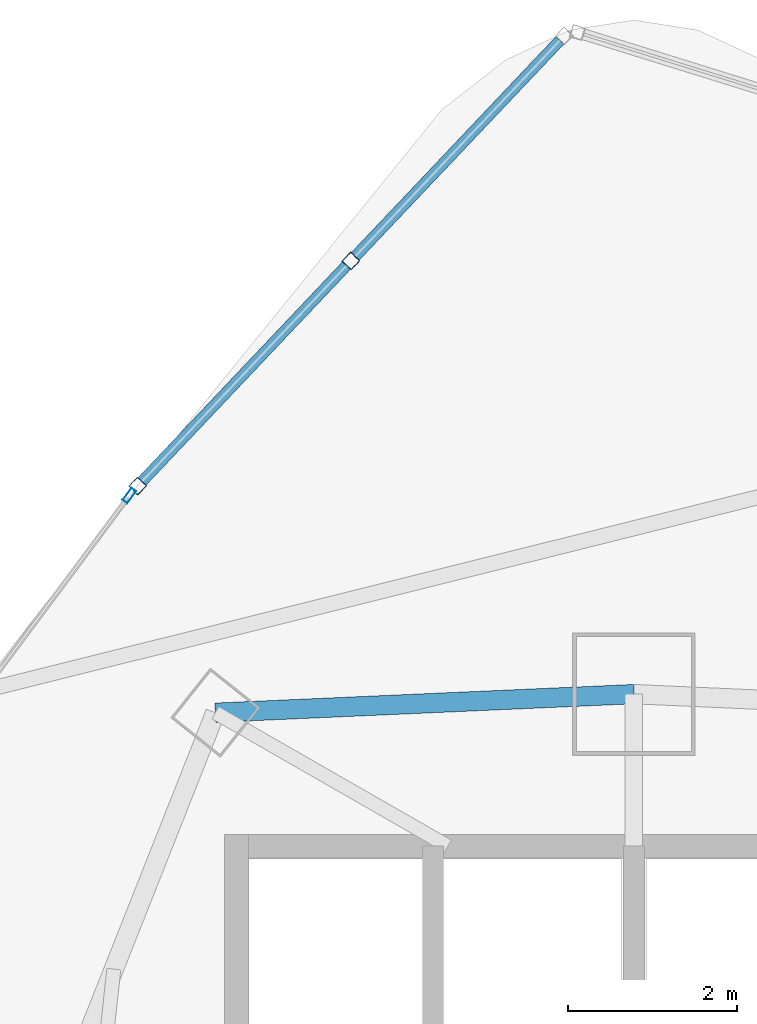
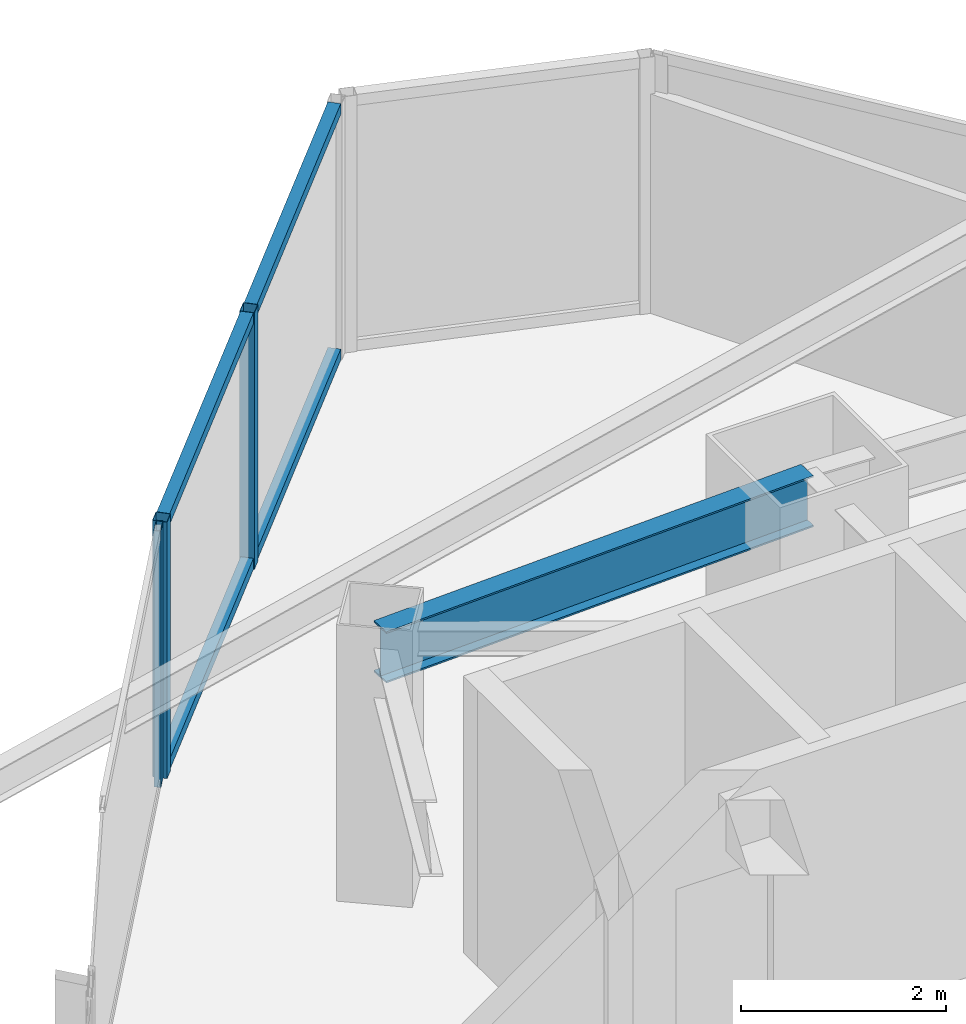
# One storey, part 22 of 33: 7 members, 1 beam, 2 elements without a shape of their own.
"""IFC4 building model written with IfcOpenShell, lengths in metres."""

from ifc_helpers import new_model, si_unit, direction, frame, origin, origin_2d, place, context, subcontext, project, spatial, hollow_rectangle, i_section, extrude, material, layer, layer_set, material_profile, profile_set, type_object, element, aggregate, save


model = new_model("IFC4")

# Units and contexts
model_context = context("Model", 3, precision=1e-05, world=origin(), true_north=direction((0.0, 1.0)))
body_context = subcontext(model_context, "Body", "Model", "MODEL_VIEW")
ifc_project = project(units=[si_unit("LENGTHUNIT", "METRE"), si_unit("AREAUNIT", "SQUARE_METRE"), si_unit("VOLUMEUNIT", "CUBIC_METRE"), si_unit("PLANEANGLEUNIT", "RADIAN"), si_unit("MASSUNIT", "GRAM", prefix="KILO")], contexts=[model_context])

# Site, building, storey
site_placement = place(None, origin())
site = spatial("IfcSite", under=ifc_project, at=site_placement, CompositionType="ELEMENT")
building_placement = place(site_placement, origin())
building = spatial("IfcBuilding", under=site, at=building_placement, Name="Orvanel Arch Residences", CompositionType="ELEMENT")
storey_placement = place(building_placement, frame((0.0, 0.0, 119.89990234375)))
storey = spatial("IfcBuildingStorey", under=building, at=storey_placement, Name="L33", CompositionType="ELEMENT", Elevation=119.89990234375)

# Curtain wall, members
ifc_material_1 = material(Name="Bronze-anodised aluminium AA6063-T6", Category="aluminium")
ifc_layer_1 = layer(ifc_material_1, 0.18994140625)
ifc_layer_set_1 = layer_set([ifc_layer_1], Name="Bronze-anodised aluminium AA6063-T6")
curtain_wall_type_1 = type_object("IfcCurtainWallType", Name="CW5-CRN-SYS", PredefinedType="NOTDEFINED", material=ifc_layer_set_1)
curtain_wall_1_placement = place(storey_placement, origin())
curtain_wall_1 = element("IfcCurtainWall", 1, at=curtain_wall_1_placement, inside=storey, type_object=curtain_wall_type_1, Name="L33 CW5-CRN-SYS Unitised Curtain Wall", PredefinedType="NOTDEFINED")
ifc_material_profile_1 = material_profile(ifc_material_1, hollow_rectangle(XDim=0.14990234375, YDim=0.14990234375, WallThickness=0.0048828125, at=origin_2d()), Name="ALU150x150x5")
ifc_profile_set_1 = profile_set([ifc_material_profile_1], Name="Bronze-anodised aluminium AA6063-T6")
member_type_1 = type_object("IfcMemberType", Name="MUL-150x150", PredefinedType="MULLION", material=ifc_profile_set_1)
member_1_placement = place(storey_placement, frame((29.653564453125, 46.52197265625, 0.0), z_axis=(0.0, 0.0, 1.0), x_axis=(0.725885986866, -0.687815043505, 0.0)))
member_1 = element("IfcMember", 2, at=member_1_placement, type_object=member_type_1, Name="CW-S5 mullion 2", PredefinedType="MULLION", context=body_context, shape_type="SweptSolid", body=[
    extrude(hollow_rectangle(XDim=0.14990234375, YDim=0.14990234375, WallThickness=0.0048828125, at=origin_2d()), origin(), (0.0, 0.0, 1.0), 3.06005859375),
])
member_2_placement = place(storey_placement, frame((27.130615234375, 43.859375, 0.0), z_axis=(0.0, 0.0, 1.0), x_axis=(0.725885986866, -0.687815043505, 0.0)))
member_2 = element("IfcMember", 3, at=member_2_placement, type_object=member_type_1, Name="CW-S5 mullion 3", PredefinedType="MULLION", context=body_context, shape_type="SweptSolid", body=[
    extrude(hollow_rectangle(XDim=0.14990234375, YDim=0.14990234375, WallThickness=0.0048828125, at=origin_2d()), origin(), (0.0, 0.0, 1.0), 3.06005859375),
])

# Curtain wall, member
ifc_layer_2 = layer(ifc_material_1, 0.179931640625)
ifc_layer_set_2 = layer_set([ifc_layer_2], Name="Bronze-anodised aluminium AA6063-T6")
curtain_wall_type_2 = type_object("IfcCurtainWallType", Name="CW3-MID-SYS", PredefinedType="NOTDEFINED", material=ifc_layer_set_2)
curtain_wall_2_placement = place(storey_placement, origin())
curtain_wall_2 = element("IfcCurtainWall", 4, at=curtain_wall_2_placement, inside=storey, type_object=curtain_wall_type_2, Name="L33 CW3-MID-SYS Unitised Curtain Wall", PredefinedType="NOTDEFINED")
ifc_material_profile_2 = material_profile(ifc_material_1, hollow_rectangle(XDim=0.070068359375, YDim=0.179931640625, WallThickness=0.00439453125, at=origin_2d()), Name="ALU180x70x4.5")
ifc_profile_set_2 = profile_set([ifc_material_profile_2], Name="Bronze-anodised aluminium AA6063-T6")
member_type_2 = type_object("IfcMemberType", Name="MUL-180x70", PredefinedType="MULLION", material=ifc_profile_set_2)
member_3_placement = place(storey_placement, frame((27.031982421875, 43.745849609375, 0.0), z_axis=(0.0, 0.0, 1.0), x_axis=(0.802116413742, -0.59716769739, 0.0)))
member_3 = element("IfcMember", 5, at=member_3_placement, type_object=member_type_2, Name="CW-S3 mullion 1", PredefinedType="MULLION", context=body_context, shape_type="SweptSolid", body=[
    extrude(hollow_rectangle(XDim=0.070068359375, YDim=0.179931640625, WallThickness=0.00439453125, at=origin_2d()), origin(), (0.0, 0.0, 1.0), 3.06005859375),
])
aggregate(curtain_wall_2, [member_3])

# Beam
ifc_material_2 = material(Name="Structural steel AS/NZS 3679.1 Grade 300 (300 MPa)", Category="steel")
ifc_material_profile_3 = material_profile(ifc_material_2, i_section(OverallWidth=0.22900390625, OverallDepth=0.612060546875, WebThickness=0.011962890625, FlangeThickness=0.01953125, at=origin_2d()), Name="610UB125")
ifc_profile_set_3 = profile_set([ifc_material_profile_3], Name="Structural steel AS/NZS 3679.1 Grade 300 (300 MPa)")
beam_type = type_object("IfcBeamType", Name="SP-610UB", PredefinedType="SPANDREL", material=ifc_profile_set_3)
beam_placement = place(storey_placement, frame((33.0, 41.39794921875, 2.754150390625), z_axis=(-0.999014049296, -0.044395149614, 0.0), x_axis=(0.044395149614, -0.999014049296, 0.0)))
element("IfcBeam", 6, at=beam_placement, inside=storey, type_object=beam_type, Name="L33 Perimeter Spandrel Beam 15", PredefinedType="SPANDREL", context=body_context, shape_type="SweptSolid", body=[
    extrude(i_section(OverallWidth=0.22900390625, OverallDepth=0.612060546875, WebThickness=0.011962890625, FlangeThickness=0.01953125, at=origin_2d()), origin(), (0.0, 0.0, 1.0), 4.954833984375),
])

# Member
ifc_material_profile_4 = material_profile(ifc_material_1, hollow_rectangle(XDim=0.1298828125, YDim=0.1298828125, WallThickness=0.00439453125, at=origin_2d()), Name="ALU130x130x4.5")
ifc_profile_set_4 = profile_set([ifc_material_profile_4], Name="Bronze-anodised aluminium AA6063-T6")
member_type_3 = type_object("IfcMemberType", Name="TRN-130x130", PredefinedType="USERDEFINED", material=ifc_profile_set_4)
member_4_placement = place(storey_placement, frame((32.124755859375, 49.130126953125, 0.065185546875), z_axis=(-0.687800467958, -0.725899797683, 0.0), x_axis=(0.725899797683, -0.687800467958, 0.0)))
member_4 = element("IfcMember", 7, at=member_4_placement, type_object=member_type_3, Name="CW-S5 transom 1.1", ObjectType="TRANSOM", PredefinedType="USERDEFINED", context=body_context, shape_type="SweptSolid", body=[
    extrude(hollow_rectangle(XDim=0.1298828125, YDim=0.1298828125, WallThickness=0.00439453125, at=origin_2d()), origin(), (0.0, 0.0, 1.0), 3.51806640625),
])

member_5_placement = place(storey_placement, frame((32.124755859375, 49.130126953125, 2.9951171875), z_axis=(-0.687800467958, -0.725899797683, 0.0), x_axis=(0.725899797683, -0.687800467958, 0.0)))
member_5 = element("IfcMember", 8, at=member_5_placement, type_object=member_type_3, Name="CW-S5 transom 1.2", ObjectType="TRANSOM", PredefinedType="USERDEFINED", context=body_context, shape_type="SweptSolid", body=[
    extrude(hollow_rectangle(XDim=0.1298828125, YDim=0.1298828125, WallThickness=0.00439453125, at=origin_2d()), origin(), (0.0, 0.0, 1.0), 3.51806640625),
])

member_6_placement = place(storey_placement, frame((29.601806640625, 46.467529296875, 0.065185546875), z_axis=(-0.687800467958, -0.725899797683, 0.0), x_axis=(0.725899797683, -0.687800467958, 0.0)))
member_6 = element("IfcMember", 9, at=member_6_placement, type_object=member_type_3, Name="CW-S5 transom 2.1", ObjectType="TRANSOM", PredefinedType="USERDEFINED", context=body_context, shape_type="SweptSolid", body=[
    extrude(hollow_rectangle(XDim=0.1298828125, YDim=0.1298828125, WallThickness=0.00439453125, at=origin_2d()), origin(), (0.0, 0.0, 1.0), 3.51806640625),
])

member_7_placement = place(storey_placement, frame((29.601806640625, 46.467529296875, 2.9951171875), z_axis=(-0.687800467958, -0.725899797683, 0.0), x_axis=(0.725899797683, -0.687800467958, 0.0)))
member_7 = element("IfcMember", 10, at=member_7_placement, type_object=member_type_3, Name="CW-S5 transom 2.2", ObjectType="TRANSOM", PredefinedType="USERDEFINED", context=body_context, shape_type="SweptSolid", body=[
    extrude(hollow_rectangle(XDim=0.1298828125, YDim=0.1298828125, WallThickness=0.00439453125, at=origin_2d()), origin(), (0.0, 0.0, 1.0), 3.51806640625),
])

aggregate(curtain_wall_1, [member_1, member_2, member_4, member_5, member_6, member_7])

save(model, "model.ifc")
